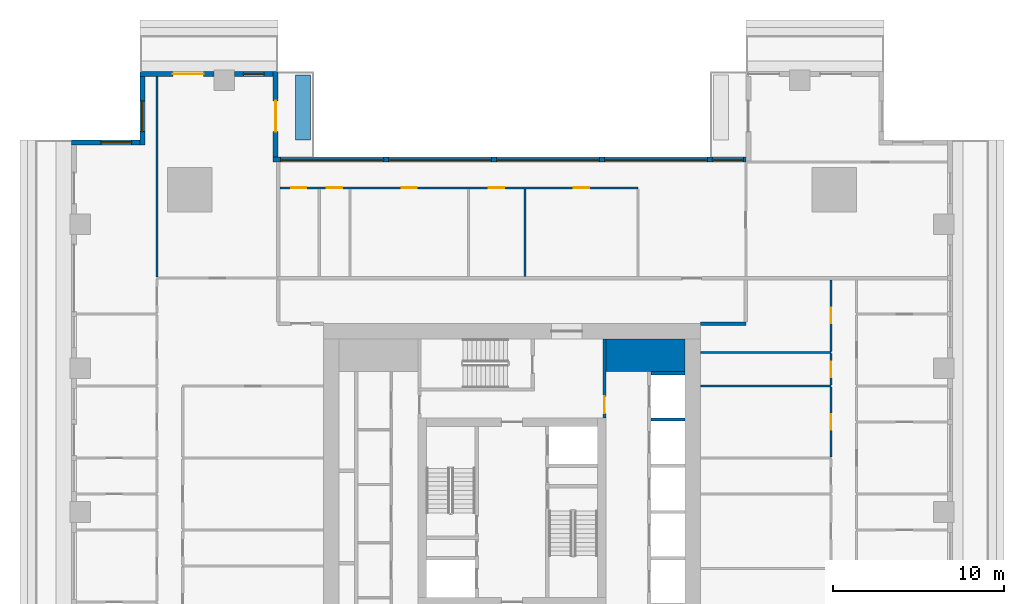
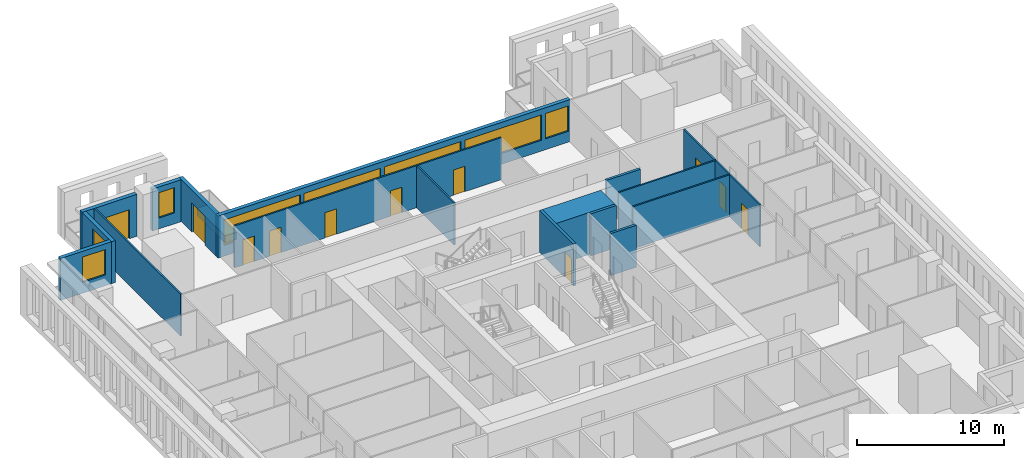
# One storey, part 8 of 16: 20 walls, 11 doors, 8 windows, 19 openings.
"""IFC4 building model written with IfcOpenShell, lengths in metres."""

import ifcopenshell
import ifcopenshell.guid

model = None  # the IFC model being written
_history = None  # IfcOwnerHistory: only IFC2X3 demands one
_inside = {}  # id of a spatial element -> (the spatial element, [elements in it])
_under = {}  # id of a project, library or spatial element -> (it, [spatial elements below it])
_declared = {}  # id of a project -> (the project, [libraries it declares])
_typed = {}  # id of a type object -> (the type object, [elements of that type])
_made_of = {}  # id of a material, layer set ... -> (it, [elements and type objects made of it])


def new_model(schema):
    """Start an empty IFC model of exactly this schema.

    Asked for "IFC4X3", IfcOpenShell would pick the latest addendum, in which some entities
    have other attributes; the version numbers below select the first issue.
    IFC2X3 requires an IfcOwnerHistory on every rooted entity: one is made here for all.
    """
    global model, _history
    if schema == "IFC4X3":
        model = ifcopenshell.file(schema_version=(4, 3, 0, 0))
    else:
        model = ifcopenshell.file(schema=schema)
    _inside.clear()
    _under.clear()
    _declared.clear()
    _typed.clear()
    _made_of.clear()
    _history = None
    if model.schema == "IFC2X3":
        org = make("IfcOrganization", Name="unknown")
        user = make(
            "IfcPersonAndOrganization",
            ThePerson=make("IfcPerson", FamilyName="unknown"),
            TheOrganization=org,
        )
        app = make(
            "IfcApplication",
            ApplicationDeveloper=org,
            Version="unknown",
            ApplicationFullName="unknown",
            ApplicationIdentifier="unknown",
        )
        _history = make(
            "IfcOwnerHistory",
            OwningUser=user,
            OwningApplication=app,
            ChangeAction="ADDED",
            CreationDate=0,
        )
    return model


def make(cls, **values):
    """One entity of the class cls with the attributes given. An attribute that is None is left unset."""
    return model.create_entity(
        cls, **{name: value for name, value in values.items() if value is not None}
    )


def rooted(cls, **values):
    """An entity with a GlobalId (a new one), such as an element, a storey or a relation."""
    return make(cls, GlobalId=ifcopenshell.guid.new(), OwnerHistory=_history, **values)


def si_unit(unit_type, name, prefix=None):
    """IfcSIUnit, for example si_unit("LENGTHUNIT", "METRE", prefix="MILLI")."""
    return make("IfcSIUnit", UnitType=unit_type, Prefix=prefix, Name=name)


def assignment(units):
    """IfcUnitAssignment: the units of a project."""
    return None if units is None else make("IfcUnitAssignment", Units=units)


def point(xyz):
    """IfcCartesianPoint."""
    return None if xyz is None else make("IfcCartesianPoint", Coordinates=xyz)


def direction(xyz):
    """IfcDirection."""
    return None if xyz is None else make("IfcDirection", DirectionRatios=xyz)


def frame(location, z_axis=None, x_axis=None):
    """IfcAxis2Placement3D, a coordinate frame: its origin and axes. An axis left out is left unset."""
    return make(
        "IfcAxis2Placement3D",
        Location=point(location),
        Axis=direction(z_axis),
        RefDirection=direction(x_axis),
    )


def frame_2d(location, x_axis=None):
    """IfcAxis2Placement2D, a coordinate frame in the plane: its origin and x axis."""
    return make(
        "IfcAxis2Placement2D", Location=point(location), RefDirection=direction(x_axis)
    )


def origin():
    """The frame at (0, 0, 0) with its axes left unset."""
    return frame((0.0, 0.0, 0.0))


def place(relative_to, where):
    """IfcLocalPlacement: puts the frame where relative to a parent placement (None: the world)."""
    return make(
        "IfcLocalPlacement", PlacementRelTo=relative_to, RelativePlacement=where
    )


def context(
    kind, dimensions, precision=None, world=None, true_north=None, identifier=None
):
    """IfcGeometricRepresentationContext, for example the 3D "Model" context."""
    return make(
        "IfcGeometricRepresentationContext",
        ContextIdentifier=identifier,
        ContextType=kind,
        CoordinateSpaceDimension=dimensions,
        Precision=precision,
        WorldCoordinateSystem=world,
        TrueNorth=true_north,
    )


def subcontext(parent, identifier, kind, view, scale=None):
    """IfcGeometricRepresentationSubContext, for example "Body" below "Model"."""
    return make(
        "IfcGeometricRepresentationSubContext",
        ContextIdentifier=identifier,
        ContextType=kind,
        ParentContext=parent,
        TargetScale=scale,
        TargetView=view,
    )


def project(units=None, contexts=None):
    """IfcProject with its units and contexts."""
    return rooted(
        "IfcProject",
        Name="project",
        RepresentationContexts=contexts,
        UnitsInContext=assignment(units),
    )


def spatial(cls, under=None, at=None, **own):
    """A site, building, storey or space (cls), placed at a placement, below another one or the project."""
    s = rooted(cls, ObjectPlacement=at, **own)
    if under is not None:
        _under.setdefault(under.id(), (under, []))[1].append(s)
    return s


def profile(cls, at=None, kind="AREA", **sizes):
    """A parametric profile (cls). Its sizes go by their IFC names, for example OverallWidth=200.0."""
    return make(cls, ProfileType=kind, Position=at, **sizes)


def rectangle(**sizes):
    """IfcRectangleProfileDef."""
    return profile("IfcRectangleProfileDef", **sizes)


def extrude(swept, where, along, depth):
    """IfcExtrudedAreaSolid: the profile swept, set in the frame where, extruded along a direction by depth."""
    return make(
        "IfcExtrudedAreaSolid",
        SweptArea=swept,
        Position=where,
        ExtrudedDirection=direction(along),
        Depth=depth,
    )


def shape(context_of_items, identifier, shape_type, items):
    """IfcShapeRepresentation: the items that make up one representation, for example the "Body"."""
    return make(
        "IfcShapeRepresentation",
        ContextOfItems=context_of_items,
        RepresentationIdentifier=identifier,
        RepresentationType=shape_type,
        Items=items,
    )


def material(Name=None, Category=None):
    """IfcMaterial."""
    return make("IfcMaterial", Name=Name, Category=Category)


def layer(
    of_material, thickness, ventilated=None, Name=None, Category=None, Priority=None
):
    """IfcMaterialLayer: one layer of a wall or slab, of a material (None: an air gap)."""
    return make(
        "IfcMaterialLayer",
        Material=of_material,
        LayerThickness=thickness,
        IsVentilated=ventilated,
        Name=Name,
        Category=Category,
        Priority=Priority,
    )


def layer_set(layers, Name=None):
    """IfcMaterialLayerSet."""
    return make("IfcMaterialLayerSet", MaterialLayers=layers, LayerSetName=Name)


def made_of(thing, what):
    """Note that an element or type object is made of a material, layer set ...; save() writes the relation."""
    if what is not None:
        _made_of.setdefault(what.id(), (what, []))[1].append(thing)
    return thing


def type_object(cls, material=None, **own):
    """A type object (cls), such as IfcWallType, which elements share."""
    return made_of(rooted(cls, **own), material)


def element(
    cls,
    number,
    at=None,
    inside=None,
    cuts=None,
    type_object=None,
    material=None,
    context=None,
    identifier="Body",
    shape_type=None,
    held_by="IfcProductDefinitionShape",
    body=None,
    shapes=None,
    **own,
):
    """One element of the class cls, such as IfcWall. Its Tag is "e" and its number.

    at: its placement. inside: the storey or other place that contains it. cuts: it is an
    opening in that element (IfcRelVoidsElement). A single representation is given by context,
    identifier, shape_type and body (its items); several are given by shapes. held_by: the class
    of the entity that holds the representations. save() writes the other relations.
    """
    e = rooted(cls, Tag="e%d" % number, ObjectPlacement=at, **own)
    if body is not None:
        shapes = [shape(context, identifier, shape_type, body)]
    if shapes is not None:
        e.Representation = make(held_by, Representations=shapes)
    if inside is not None:
        _inside.setdefault(inside.id(), (inside, []))[1].append(e)
    if cuts is not None:
        rooted(
            "IfcRelVoidsElement", RelatingBuildingElement=cuts, RelatedOpeningElement=e
        )
    if type_object is not None:
        _typed.setdefault(type_object.id(), (type_object, []))[1].append(e)
    return made_of(e, material)


def fill(opening, filler):
    """IfcRelFillsElement: the door or window that sits in an opening."""
    return rooted(
        "IfcRelFillsElement",
        RelatingOpeningElement=opening,
        RelatedBuildingElement=filler,
    )


def aggregate(whole, parts):
    """IfcRelAggregates: a whole, such as a stair, and the parts it consists of."""
    return rooted("IfcRelAggregates", RelatingObject=whole, RelatedObjects=parts)


def save(model, path):
    """Write the relations noted so far, then the file.

    IfcRelAggregates (storeys below a building ...), IfcRelContainedInSpatialStructure (elements
    in a storey), IfcRelDefinesByType, IfcRelAssociatesMaterial and IfcRelDeclares: one each for
    every whole, place, type object, material and project.
    """
    for whole, parts in _under.values():
        aggregate(whole, parts)
    for where, things in _inside.values():
        rooted(
            "IfcRelContainedInSpatialStructure",
            RelatedElements=things,
            RelatingStructure=where,
        )
    for kind, things in _typed.values():
        rooted("IfcRelDefinesByType", RelatedObjects=things, RelatingType=kind)
    for what, things in _made_of.values():
        rooted("IfcRelAssociatesMaterial", RelatedObjects=things, RelatingMaterial=what)
    for by, libraries in _declared.values():
        rooted("IfcRelDeclares", RelatingContext=by, RelatedDefinitions=libraries)
    model.write(path)


model = new_model("IFC4")

# Units and contexts
model_context = context("Model", 3, precision=1e-05, world=origin(), true_north=direction((0.0, 1.0)))
body_context = subcontext(model_context, "Body", "Model", "MODEL_VIEW")
ifc_project = project(units=[si_unit("LENGTHUNIT", "METRE"), si_unit("AREAUNIT", "SQUARE_METRE"), si_unit("VOLUMEUNIT", "CUBIC_METRE"), si_unit("PLANEANGLEUNIT", "RADIAN"), si_unit("MASSUNIT", "GRAM", prefix="KILO")], contexts=[model_context])

# Site, building, storey
site_placement = place(None, origin())
site = spatial("IfcSite", under=ifc_project, at=site_placement, CompositionType="ELEMENT")
building_placement = place(site_placement, origin())
building = spatial("IfcBuilding", under=site, at=building_placement, Name="Khepri Terraces", CompositionType="ELEMENT")
storey_placement = place(building_placement, frame((0.0, 0.0, 172.800048828125)))
storey = spatial("IfcBuildingStorey", under=building, at=storey_placement, Name="L41", CompositionType="ELEMENT", Elevation=172.800048828125)

# Walls
ifc_material_1 = material(Name="Concrete C60/75", Category="concrete")
ifc_layer_1 = layer(ifc_material_1, 1.89990234375, Name="Concrete C60/75", Category="concrete")
ifc_layer_set_1 = layer_set([ifc_layer_1], Name="Concrete C60/75")
wall_type_1 = type_object("IfcWallType", Name="Core wall 1900 C60/75", PredefinedType="SHEAR", material=ifc_layer_set_1)
wall_1_placement = place(storey_placement, frame((5.5, 9.14990234375, 0.0), z_axis=(0.0, 0.0, 1.0), x_axis=(1.0, 0.0, 0.0)))
element("IfcWall", 1, at=wall_1_placement, inside=storey, type_object=wall_type_1, Name="Core wall PR04 L41", PredefinedType="SHEAR", context=body_context, shape_type="SweptSolid", body=[
    extrude(rectangle(XDim=4.60009765625, YDim=1.89990234375, at=frame_2d((2.300048828125, 0.0))), origin(), (0.0, 0.0, 1.0), 3.47998046875),
])
ifc_layer_2 = layer(ifc_material_1, 0.199951171875, Name="Concrete C60/75", Category="concrete")
ifc_layer_set_2 = layer_set([ifc_layer_2], Name="Concrete C60/75")
wall_type_2 = type_object("IfcWallType", Name="Core wall 200 C60/75", PredefinedType="SHEAR", material=ifc_layer_set_2)
for number, where, z_axis, x_axis, name in (
    (2, (8.10009765625, 5.39990234375, 0.0), (0.0, 0.0, 1.0), (1.0, 0.0, 0.0), "Core wall SH14 L41"),
    (3, (8.10009765625, 8.10009765625, 0.0), (0.0, 0.0, 1.0), (1.0, 0.0, 0.0), "Core wall SH15 L41"),
):
    element("IfcWall", number, at=place(storey_placement, frame(where, z_axis=z_axis, x_axis=x_axis)), inside=storey, type_object=wall_type_2, Name=name, PredefinedType="SHEAR", context=body_context, shape_type="SweptSolid", body=[
        extrude(rectangle(XDim=2.0, YDim=0.199951171875, at=frame_2d((1.0, 0.0))), origin(), (0.0, 0.0, 1.0), 3.47998046875),
    ])

# Wall, opening, door
ifc_material_2 = material(Name="Fire-rated gypsum board partition")
ifc_layer_3 = layer(ifc_material_2, 0.199951171875, Name="Fire-rated gypsum board partition")
ifc_layer_set_3 = layer_set([ifc_layer_3], Name="Fire-rated gypsum board partition")
wall_type_3 = type_object("IfcWallType", Name="WL-CORE-PART-200", PredefinedType="PARTITIONING", material=ifc_layer_set_3)
wall_2_placement = place(storey_placement, frame((5.39990234375, 5.5, 0.0), z_axis=(0.0, 0.0, 1.0), x_axis=(0.0, 1.0, 0.0)))
wall_2 = element("IfcWall", 4, at=wall_2_placement, inside=storey, type_object=wall_type_3, Name="Core partition PT13 L41", PredefinedType="PARTITIONING", context=body_context, shape_type="SweptSolid", body=[
    extrude(rectangle(XDim=4.60009765625, YDim=0.199951171875, at=frame_2d((2.300048828125, 0.0))), origin(), (0.0, 0.0, 1.0), 3.47998046875),
])
opening_1_placement = place(wall_2_placement, frame((0.25, 0.0, 0.0)))
opening_1 = element("IfcOpeningElement", 5, at=opening_1_placement, cuts=wall_2, Name="Opening L41-C17", PredefinedType="OPENING", context=body_context, shape_type="SweptSolid", body=[
    extrude(rectangle(XDim=1.0, YDim=2.10009765625, at=frame_2d((0.5, 1.050048828125))), frame((0.0, 0.10986328125, 0.0), z_axis=(0.0, -1.0, 0.0), x_axis=(1.0, 0.0, 0.0)), (0.0, 0.0, 1.0), 0.219970703125),
])
ifc_material_3 = material(Name="Painted steel", Category="steel")
door_type_1 = type_object("IfcDoorType", Name="DR-CORE-LOBBY-1000", OperationType="NOTDEFINED", PredefinedType="DOOR", material=ifc_material_3)
door_1_placement = place(opening_1_placement, origin())
door_1 = element("IfcDoor", 6, at=door_1_placement, inside=storey, type_object=door_type_1, Name="Lobby door L41-C17", OperationType="SINGLE_SWING_LEFT", OverallHeight=2.10009765625, OverallWidth=1.0, PredefinedType="DOOR", context=body_context, shape_type="SweptSolid", body=[
    extrude(rectangle(XDim=1.0, YDim=2.10009765625, at=frame_2d((0.5, 1.050048828125))), frame((0.0, 0.02490234375, 0.0), z_axis=(0.0, -1.0, 0.0), x_axis=(1.0, 0.0, 0.0)), (0.0, 0.0, 1.0), 0.050048828125),
])
fill(opening_1, door_1)

# Wall
ifc_material_4 = material(Name="Fire-rated gypsum plasterboard partition, mineral wool")
ifc_layer_4 = layer(ifc_material_4, 0.199951171875, Name="Fire-rated gypsum plasterboard partition, mineral wool")
ifc_layer_set_4 = layer_set([ifc_layer_4], Name="Fire-rated gypsum plasterboard partition, mineral wool")
wall_type_4 = type_object("IfcWallType", Name="WL-CORR-200", PredefinedType="PARTITIONING", material=ifc_layer_set_4)
wall_3_placement = place(storey_placement, frame((11.0, 11.0, 0.0), z_axis=(0.0, 0.0, 1.0), x_axis=(1.0, 0.0, 0.0)))
element("IfcWall", 7, at=wall_3_placement, inside=storey, type_object=wall_type_4, Name="Partition P-084 L41", PredefinedType="PARTITIONING", context=body_context, shape_type="SweptSolid", body=[
    extrude(rectangle(XDim=2.64990234375, YDim=0.199951171875, at=frame_2d((1.324951171875, 0.0))), origin(), (0.0, 0.0, 1.0), 3.47998046875),
])

# Wall, openings, windows
ifc_material_5 = material(Name="Precast concrete C50/60 warm stone", Category="masonry")
ifc_layer_5 = layer(ifc_material_5, 0.300048828125, Name="Precast concrete C50/60 warm stone", Category="masonry")
ifc_layer_set_5 = layer_set([ifc_layer_5], Name="Precast concrete C50/60 warm stone")
wall_type_5 = type_object("IfcWallType", Name="WL-EXT-PRECAST-300", PredefinedType="STANDARD", material=ifc_layer_set_5)
wall_4_placement = place(storey_placement, frame((13.64990234375, 20.570068359375, 0.0), z_axis=(0.0, 0.0, 1.0), x_axis=(-1.0, 0.0, 0.0)))
wall_4 = element("IfcWall", 8, at=wall_4_placement, inside=storey, type_object=wall_type_5, Name="External wall L41 N", PredefinedType="STANDARD", context=body_context, shape_type="SweptSolid", body=[
    extrude(rectangle(XDim=27.599853515625, YDim=0.300048828125, at=frame_2d((13.7998046875, 0.0))), origin(), (0.0, 0.0, 1.0), 3.47998046875),
])
opening_2_placement = place(wall_4_placement, frame((0.14990234375, 0.0, 0.89990234375)))
opening_2 = element("IfcOpeningElement", 9, at=opening_2_placement, cuts=wall_4, Name="Opening W1", PredefinedType="OPENING", context=body_context, shape_type="SweptSolid", body=[
    extrude(rectangle(XDim=1.800048828125, YDim=2.10009765625, at=frame_2d((0.89990234375, 1.050048828125))), frame((0.0, 0.16015625, 0.0), z_axis=(0.0, -1.0, 0.0), x_axis=(1.0, 0.0, 0.0)), (0.0, 0.0, 1.0), 0.320068359375),
])
opening_3_placement = place(wall_4_placement, frame((2.25, 0.0, 0.89990234375)))
opening_3 = element("IfcOpeningElement", 10, at=opening_3_placement, cuts=wall_4, Name="Opening W3", PredefinedType="OPENING", context=body_context, shape_type="SweptSolid", body=[
    extrude(rectangle(XDim=6.0, YDim=2.10009765625, at=frame_2d((3.0, 1.050048828125))), frame((0.0, 0.16015625, 0.0), z_axis=(0.0, -1.0, 0.0), x_axis=(1.0, 0.0, 0.0)), (0.0, 0.0, 1.0), 0.320068359375),
])
opening_4_placement = place(wall_4_placement, frame((8.550048828125, 0.0, 0.89990234375)))
opening_4 = element("IfcOpeningElement", 11, at=opening_4_placement, cuts=wall_4, Name="Opening W3", PredefinedType="OPENING", context=body_context, shape_type="SweptSolid", body=[
    extrude(rectangle(XDim=6.0, YDim=2.10009765625, at=frame_2d((3.0, 1.050048828125))), frame((0.0, 0.16015625, 0.0), z_axis=(0.0, -1.0, 0.0), x_axis=(1.0, 0.0, 0.0)), (0.0, 0.0, 1.0), 0.320068359375),
])
opening_5_placement = place(wall_4_placement, frame((14.85009765625, 0.0, 0.89990234375)))
opening_5 = element("IfcOpeningElement", 12, at=opening_5_placement, cuts=wall_4, Name="Opening W3", PredefinedType="OPENING", context=body_context, shape_type="SweptSolid", body=[
    extrude(rectangle(XDim=6.0, YDim=2.10009765625, at=frame_2d((3.0, 1.050048828125))), frame((0.0, 0.16015625, 0.0), z_axis=(0.0, -1.0, 0.0), x_axis=(1.0, 0.0, 0.0)), (0.0, 0.0, 1.0), 0.320068359375),
])
opening_6_placement = place(wall_4_placement, frame((21.14990234375, 0.0, 0.89990234375)))
opening_6 = element("IfcOpeningElement", 13, at=opening_6_placement, cuts=wall_4, Name="Opening W3", PredefinedType="OPENING", context=body_context, shape_type="SweptSolid", body=[
    extrude(rectangle(XDim=6.0, YDim=2.10009765625, at=frame_2d((3.0, 1.050048828125))), frame((0.0, 0.16015625, 0.0), z_axis=(0.0, -1.0, 0.0), x_axis=(1.0, 0.0, 0.0)), (0.0, 0.0, 1.0), 0.320068359375),
])
ifc_material_6 = material(Name="Clear glass", Category="glass")
window_type_1 = type_object("IfcWindowType", Name="WIN-RES-1800x2100", PartitioningType="SINGLE_PANEL", PredefinedType="WINDOW", material=ifc_material_6)
window_1_placement = place(opening_2_placement, origin())
window_1 = element("IfcWindow", 14, at=window_1_placement, inside=storey, type_object=window_type_1, Name="Window L41 N", OverallHeight=2.10009765625, OverallWidth=1.800048828125, PartitioningType="SINGLE_PANEL", PredefinedType="WINDOW", context=body_context, shape_type="SweptSolid", body=[
    extrude(rectangle(XDim=1.800048828125, YDim=2.10009765625, at=frame_2d((0.89990234375, 1.050048828125))), frame((0.0, 0.030029296875, 0.0), z_axis=(0.0, -1.0, 0.0), x_axis=(1.0, 0.0, 0.0)), (0.0, 0.0, 1.0), 0.06005859375),
])
fill(opening_2, window_1)
window_type_2 = type_object("IfcWindowType", Name="WIN-RES-6000x2100", PartitioningType="SINGLE_PANEL", PredefinedType="WINDOW", material=ifc_material_6)
window_2_placement = place(opening_3_placement, origin())
window_2 = element("IfcWindow", 15, at=window_2_placement, inside=storey, type_object=window_type_2, Name="Window L41 N", OverallHeight=2.10009765625, OverallWidth=6.0, PartitioningType="SINGLE_PANEL", PredefinedType="WINDOW", context=body_context, shape_type="SweptSolid", body=[
    extrude(rectangle(XDim=6.0, YDim=2.10009765625, at=frame_2d((3.0, 1.050048828125))), frame((0.0, 0.030029296875, 0.0), z_axis=(0.0, -1.0, 0.0), x_axis=(1.0, 0.0, 0.0)), (0.0, 0.0, 1.0), 0.06005859375),
])
fill(opening_3, window_2)
window_3_placement = place(opening_4_placement, origin())
window_3 = element("IfcWindow", 16, at=window_3_placement, inside=storey, type_object=window_type_2, Name="Window L41 N", OverallHeight=2.10009765625, OverallWidth=6.0, PartitioningType="SINGLE_PANEL", PredefinedType="WINDOW", context=body_context, shape_type="SweptSolid", body=[
    extrude(rectangle(XDim=6.0, YDim=2.10009765625, at=frame_2d((3.0, 1.050048828125))), frame((0.0, 0.030029296875, 0.0), z_axis=(0.0, -1.0, 0.0), x_axis=(1.0, 0.0, 0.0)), (0.0, 0.0, 1.0), 0.06005859375),
])
fill(opening_4, window_3)
window_4_placement = place(opening_5_placement, origin())
window_4 = element("IfcWindow", 17, at=window_4_placement, inside=storey, type_object=window_type_2, Name="Window L41 N", OverallHeight=2.10009765625, OverallWidth=6.0, PartitioningType="SINGLE_PANEL", PredefinedType="WINDOW", context=body_context, shape_type="SweptSolid", body=[
    extrude(rectangle(XDim=6.0, YDim=2.10009765625, at=frame_2d((3.0, 1.050048828125))), frame((0.0, 0.030029296875, 0.0), z_axis=(0.0, -1.0, 0.0), x_axis=(1.0, 0.0, 0.0)), (0.0, 0.0, 1.0), 0.06005859375),
])
fill(opening_5, window_4)
window_5_placement = place(opening_6_placement, origin())
window_5 = element("IfcWindow", 18, at=window_5_placement, inside=storey, type_object=window_type_2, Name="Window L41 N", OverallHeight=2.10009765625, OverallWidth=6.0, PartitioningType="SINGLE_PANEL", PredefinedType="WINDOW", context=body_context, shape_type="SweptSolid", body=[
    extrude(rectangle(XDim=6.0, YDim=2.10009765625, at=frame_2d((3.0, 1.050048828125))), frame((0.0, 0.030029296875, 0.0), z_axis=(0.0, -1.0, 0.0), x_axis=(1.0, 0.0, 0.0)), (0.0, 0.0, 1.0), 0.06005859375),
])
fill(opening_6, window_5)

# Wall, opening, door
wall_5_placement = place(storey_placement, frame((-13.800048828125, 20.719970703125, 0.0), z_axis=(0.0, 0.0, 1.0), x_axis=(0.0, 1.0, 0.0)))
wall_5 = element("IfcWall", 19, at=wall_5_placement, inside=storey, type_object=wall_type_5, Name="External wall L41 E", PredefinedType="STANDARD", context=body_context, shape_type="SweptSolid", body=[
    extrude(rectangle(XDim=5.0, YDim=0.300048828125, at=frame_2d((2.5, 0.0))), origin(), (0.0, 0.0, 1.0), 3.47998046875),
])
opening_7_placement = place(wall_5_placement, frame((1.47998046875, 0.0, 0.0)))
opening_7 = element("IfcOpeningElement", 20, at=opening_7_placement, cuts=wall_5, Name="Opening ED-L41-07", PredefinedType="OPENING", context=body_context, shape_type="SweptSolid", body=[
    extrude(rectangle(XDim=1.800048828125, YDim=2.39990234375, at=frame_2d((0.89990234375, 1.199951171875))), frame((0.0, 0.16015625, 0.0), z_axis=(0.0, -1.0, 0.0), x_axis=(1.0, 0.0, 0.0)), (0.0, 0.0, 1.0), 0.320068359375),
])
ifc_material_7 = material(Name="Anodised aluminium bronze glazed door", Category="aluminium")
door_type_2 = type_object("IfcDoorType", Name="DR-BAL-SLIDE-1800x2400", OperationType="NOTDEFINED", PredefinedType="DOOR", material=ifc_material_7)
door_2_placement = place(opening_7_placement, origin())
door_2 = element("IfcDoor", 21, at=door_2_placement, inside=storey, type_object=door_type_2, Name="Balcony door L41 E", OperationType="SLIDING_TO_RIGHT", OverallHeight=2.39990234375, OverallWidth=1.800048828125, PredefinedType="DOOR", context=body_context, shape_type="SweptSolid", body=[
    extrude(rectangle(XDim=1.800048828125, YDim=2.39990234375, at=frame_2d((0.89990234375, 1.199951171875))), frame((0.0, 0.02490234375, 0.0), z_axis=(0.0, -1.0, 0.0), x_axis=(1.0, 0.0, 0.0)), (0.0, 0.0, 1.0), 0.050048828125),
])
fill(opening_7, door_2)

# Wall, opening, window
wall_6_placement = place(storey_placement, frame((-13.949951171875, 25.570068359375, 0.0), z_axis=(0.0, 0.0, 1.0), x_axis=(-1.0, 0.0, 0.0)))
wall_6 = element("IfcWall", 22, at=wall_6_placement, inside=storey, type_object=wall_type_5, Name="External wall L41 N", PredefinedType="STANDARD", context=body_context, shape_type="SweptSolid", body=[
    extrude(rectangle(XDim=2.25, YDim=0.300048828125, at=frame_2d((1.125, 0.0))), origin(), (0.0, 0.0, 1.0), 3.47998046875),
])
opening_8_placement = place(wall_6_placement, frame((0.52490234375, 0.0, 0.89990234375)))
opening_8 = element("IfcOpeningElement", 23, at=opening_8_placement, cuts=wall_6, Name="Opening W4", PredefinedType="OPENING", context=body_context, shape_type="SweptSolid", body=[
    extrude(rectangle(XDim=1.199951171875, YDim=2.10009765625, at=frame_2d((0.60009765625, 1.050048828125))), frame((0.0, 0.16015625, 0.0), z_axis=(0.0, -1.0, 0.0), x_axis=(1.0, 0.0, 0.0)), (0.0, 0.0, 1.0), 0.320068359375),
])
window_type_3 = type_object("IfcWindowType", Name="WIN-RES-1200x2100", PartitioningType="SINGLE_PANEL", PredefinedType="WINDOW", material=ifc_material_6)
window_6_placement = place(opening_8_placement, origin())
window_6 = element("IfcWindow", 24, at=window_6_placement, inside=storey, type_object=window_type_3, Name="Window L41 N", OverallHeight=2.10009765625, OverallWidth=1.199951171875, PartitioningType="SINGLE_PANEL", PredefinedType="WINDOW", context=body_context, shape_type="SweptSolid", body=[
    extrude(rectangle(XDim=1.199951171875, YDim=2.10009765625, at=frame_2d((0.60009765625, 1.050048828125))), frame((0.0, 0.030029296875, 0.0), z_axis=(0.0, -1.0, 0.0), x_axis=(1.0, 0.0, 0.0)), (0.0, 0.0, 1.0), 0.06005859375),
])
fill(opening_8, window_6)

# Wall, opening, door
wall_7_placement = place(storey_placement, frame((-17.39990234375, 25.570068359375, 0.0), z_axis=(0.0, 0.0, 1.0), x_axis=(-1.0, 0.0, 0.0)))
wall_7 = element("IfcWall", 25, at=wall_7_placement, inside=storey, type_object=wall_type_5, Name="External wall L41 N", PredefinedType="STANDARD", context=body_context, shape_type="SweptSolid", body=[
    extrude(rectangle(XDim=4.320068359375, YDim=0.300048828125, at=frame_2d((2.16015625, 0.0))), origin(), (0.0, 0.0, 1.0), 3.47998046875),
])
opening_9_placement = place(wall_7_placement, frame((0.60009765625, 0.0, 0.0)))
opening_9 = element("IfcOpeningElement", 26, at=opening_9_placement, cuts=wall_7, Name="Opening ED-L41-08", PredefinedType="OPENING", context=body_context, shape_type="SweptSolid", body=[
    extrude(rectangle(XDim=1.800048828125, YDim=2.39990234375, at=frame_2d((0.89990234375, 1.199951171875))), frame((0.0, 0.16015625, 0.0), z_axis=(0.0, -1.0, 0.0), x_axis=(1.0, 0.0, 0.0)), (0.0, 0.0, 1.0), 0.320068359375),
])
door_3_placement = place(opening_9_placement, origin())
door_3 = element("IfcDoor", 27, at=door_3_placement, inside=storey, type_object=door_type_2, Name="Balcony door L41 N", OperationType="SLIDING_TO_LEFT", OverallHeight=2.39990234375, OverallWidth=1.800048828125, PredefinedType="DOOR", context=body_context, shape_type="SweptSolid", body=[
    extrude(rectangle(XDim=1.800048828125, YDim=2.39990234375, at=frame_2d((0.89990234375, 1.199951171875))), frame((0.0, 0.02490234375, 0.0), z_axis=(0.0, -1.0, 0.0), x_axis=(1.0, 0.0, 0.0)), (0.0, 0.0, 1.0), 0.050048828125),
])
fill(opening_9, door_3)

# Wall, opening, window
wall_8_placement = place(storey_placement, frame((-21.570068359375, 25.419921875, 0.0), z_axis=(0.0, 0.0, 1.0), x_axis=(0.0, -1.0, 0.0)))
wall_8 = element("IfcWall", 28, at=wall_8_placement, inside=storey, type_object=wall_type_5, Name="External wall L41 W", PredefinedType="STANDARD", context=body_context, shape_type="SweptSolid", body=[
    extrude(rectangle(XDim=4.0, YDim=0.300048828125, at=frame_2d((2.0, 0.0))), origin(), (0.0, 0.0, 1.0), 3.47998046875),
])
opening_10_placement = place(wall_8_placement, frame((1.419921875, 0.0, 0.89990234375)))
opening_10 = element("IfcOpeningElement", 29, at=opening_10_placement, cuts=wall_8, Name="Opening W1", PredefinedType="OPENING", context=body_context, shape_type="SweptSolid", body=[
    extrude(rectangle(XDim=1.800048828125, YDim=2.10009765625, at=frame_2d((0.89990234375, 1.050048828125))), frame((0.0, 0.16015625, 0.0), z_axis=(0.0, -1.0, 0.0), x_axis=(1.0, 0.0, 0.0)), (0.0, 0.0, 1.0), 0.320068359375),
])
window_7_placement = place(opening_10_placement, origin())
window_7 = element("IfcWindow", 30, at=window_7_placement, inside=storey, type_object=window_type_1, Name="Window L41 W", OverallHeight=2.10009765625, OverallWidth=1.800048828125, PartitioningType="SINGLE_PANEL", PredefinedType="WINDOW", context=body_context, shape_type="SweptSolid", body=[
    extrude(rectangle(XDim=1.800048828125, YDim=2.10009765625, at=frame_2d((0.89990234375, 1.050048828125))), frame((0.0, 0.030029296875, 0.0), z_axis=(0.0, -1.0, 0.0), x_axis=(1.0, 0.0, 0.0)), (0.0, 0.0, 1.0), 0.06005859375),
])
fill(opening_10, window_7)

wall_9_placement = place(storey_placement, frame((-21.719970703125, 21.570068359375, 0.0), z_axis=(0.0, 0.0, 1.0), x_axis=(-1.0, 0.0, 0.0)))
wall_9 = element("IfcWall", 31, at=wall_9_placement, inside=storey, type_object=wall_type_5, Name="External wall L41 N", PredefinedType="STANDARD", context=body_context, shape_type="SweptSolid", body=[
    extrude(rectangle(XDim=4.0, YDim=0.300048828125, at=frame_2d((2.0, 0.0))), origin(), (0.0, 0.0, 1.0), 3.47998046875),
])
opening_11_placement = place(wall_9_placement, frame((0.47998046875, 0.0, 0.89990234375)))
opening_11 = element("IfcOpeningElement", 32, at=opening_11_placement, cuts=wall_9, Name="Opening W1", PredefinedType="OPENING", context=body_context, shape_type="SweptSolid", body=[
    extrude(rectangle(XDim=1.800048828125, YDim=2.10009765625, at=frame_2d((0.89990234375, 1.050048828125))), frame((0.0, 0.16015625, 0.0), z_axis=(0.0, -1.0, 0.0), x_axis=(1.0, 0.0, 0.0)), (0.0, 0.0, 1.0), 0.320068359375),
])
window_8_placement = place(opening_11_placement, origin())
window_8 = element("IfcWindow", 33, at=window_8_placement, inside=storey, type_object=window_type_1, Name="Window L41 N", OverallHeight=2.10009765625, OverallWidth=1.800048828125, PartitioningType="SINGLE_PANEL", PredefinedType="WINDOW", context=body_context, shape_type="SweptSolid", body=[
    extrude(rectangle(XDim=1.800048828125, YDim=2.10009765625, at=frame_2d((0.89990234375, 1.050048828125))), frame((0.0, 0.030029296875, 0.0), z_axis=(0.0, -1.0, 0.0), x_axis=(1.0, 0.0, 0.0)), (0.0, 0.0, 1.0), 0.06005859375),
])
fill(opening_11, window_8)

# Wall, opening, door
ifc_material_8 = material(Name="Gypsum plasterboard partition")
ifc_layer_6 = layer(ifc_material_8, 0.1201171875, Name="Gypsum plasterboard partition")
ifc_layer_set_6 = layer_set([ifc_layer_6], Name="Gypsum plasterboard partition")
wall_type_6 = type_object("IfcWallType", Name="WL-PART-120", PredefinedType="PARTITIONING", material=ifc_layer_set_6)
wall_10_placement = place(storey_placement, frame((18.6201171875, 3.2099609375, 0.0), z_axis=(0.0, 0.0, 1.0), x_axis=(0.0, 1.0, 0.0)))
wall_10 = element("IfcWall", 34, at=wall_10_placement, inside=storey, type_object=wall_type_6, Name="Partition P-071 L41", PredefinedType="PARTITIONING", context=body_context, shape_type="SweptSolid", body=[
    extrude(rectangle(XDim=4.080078125, YDim=0.1201171875, at=frame_2d((2.0400390625, 0.0))), origin(), (0.0, 0.0, 1.0), 3.47998046875),
])
opening_12_placement = place(wall_10_placement, frame((1.590087890625, 0.0, 0.0)))
opening_12 = element("IfcOpeningElement", 35, at=opening_12_placement, cuts=wall_10, Name="Opening D3", PredefinedType="OPENING", context=body_context, shape_type="SweptSolid", body=[
    extrude(rectangle(XDim=0.89990234375, YDim=2.10009765625, at=frame_2d((0.449951171875, 1.050048828125))), frame((0.0, 0.070068359375, 0.0), z_axis=(0.0, -1.0, 0.0), x_axis=(1.0, 0.0, 0.0)), (0.0, 0.0, 1.0), 0.14013671875),
])
ifc_material_9 = material(Name="Timber door leaf", Category="wood")
door_type_3 = type_object("IfcDoorType", Name="DR-INT-900", OperationType="NOTDEFINED", PredefinedType="DOOR", material=ifc_material_9)
door_4_placement = place(opening_12_placement, origin())
door_4 = element("IfcDoor", 36, at=door_4_placement, inside=storey, type_object=door_type_3, Name="Door Utility Room", OperationType="SINGLE_SWING_RIGHT", OverallHeight=2.10009765625, OverallWidth=0.89990234375, PredefinedType="DOOR", context=body_context, shape_type="SweptSolid", body=[
    extrude(rectangle(XDim=0.89990234375, YDim=2.10009765625, at=frame_2d((0.449951171875, 1.050048828125))), frame((0.0, 0.02490234375, 0.0), z_axis=(0.0, -1.0, 0.0), x_axis=(1.0, 0.0, 0.0)), (0.0, 0.0, 1.0), 0.050048828125),
])
fill(opening_12, door_4)

# Wall
wall_11_placement = place(storey_placement, frame((11.0, 7.35009765625, 0.0), z_axis=(0.0, 0.0, 1.0), x_axis=(1.0, 0.0, 0.0)))
element("IfcWall", 37, at=wall_11_placement, inside=storey, type_object=wall_type_6, Name="Partition P-076 L41", PredefinedType="PARTITIONING", context=body_context, shape_type="SweptSolid", body=[
    extrude(rectangle(XDim=7.6201171875, YDim=0.1201171875, at=frame_2d((3.81005859375, 0.0))), origin(), (0.0, 0.0, 1.0), 3.47998046875),
])

# Wall, opening, door
wall_12_placement = place(storey_placement, frame((18.6201171875, 7.409912109375, 0.0), z_axis=(0.0, 0.0, 1.0), x_axis=(0.0, 1.0, 0.0)))
wall_12 = element("IfcWall", 38, at=wall_12_placement, inside=storey, type_object=wall_type_6, Name="Partition P-079 L41", PredefinedType="PARTITIONING", context=body_context, shape_type="SweptSolid", body=[
    extrude(rectangle(XDim=1.830078125, YDim=0.1201171875, at=frame_2d((0.9150390625, 0.0))), origin(), (0.0, 0.0, 1.0), 3.47998046875),
])
opening_13_placement = place(wall_12_placement, frame((0.465087890625, 0.0, 0.0)))
opening_13 = element("IfcOpeningElement", 39, at=opening_13_placement, cuts=wall_12, Name="Opening D4", PredefinedType="OPENING", context=body_context, shape_type="SweptSolid", body=[
    extrude(rectangle(XDim=0.89990234375, YDim=2.10009765625, at=frame_2d((0.449951171875, 1.050048828125))), frame((0.0, 0.070068359375, 0.0), z_axis=(0.0, -1.0, 0.0), x_axis=(1.0, 0.0, 0.0)), (0.0, 0.0, 1.0), 0.14013671875),
])
ifc_material_10 = material(Name="Timber door leaf, moisture resistant", Category="wood")
door_type_4 = type_object("IfcDoorType", Name="DR-WET-900", OperationType="NOTDEFINED", PredefinedType="DOOR", material=ifc_material_10)
door_5_placement = place(opening_13_placement, origin())
door_5 = element("IfcDoor", 40, at=door_5_placement, inside=storey, type_object=door_type_4, Name="Door Guest Bathroom", OperationType="SINGLE_SWING_LEFT", OverallHeight=2.10009765625, OverallWidth=0.89990234375, PredefinedType="DOOR", context=body_context, shape_type="SweptSolid", body=[
    extrude(rectangle(XDim=0.89990234375, YDim=2.10009765625, at=frame_2d((0.449951171875, 1.050048828125))), frame((0.0, 0.02490234375, 0.0), z_axis=(0.0, -1.0, 0.0), x_axis=(1.0, 0.0, 0.0)), (0.0, 0.0, 1.0), 0.050048828125),
])
fill(opening_13, door_5)

# Wall
wall_13_placement = place(storey_placement, frame((11.0, 9.300048828125, 0.0), z_axis=(0.0, 0.0, 1.0), x_axis=(1.0, 0.0, 0.0)))
element("IfcWall", 41, at=wall_13_placement, inside=storey, type_object=wall_type_6, Name="Partition P-081 L41", PredefinedType="PARTITIONING", context=body_context, shape_type="SweptSolid", body=[
    extrude(rectangle(XDim=7.6201171875, YDim=0.1201171875, at=frame_2d((3.81005859375, 0.0))), origin(), (0.0, 0.0, 1.0), 3.47998046875),
])

# Wall, opening, door
wall_14_placement = place(storey_placement, frame((18.6201171875, 9.360107421875, 0.0), z_axis=(0.0, 0.0, 1.0), x_axis=(0.0, 1.0, 0.0)))
wall_14 = element("IfcWall", 42, at=wall_14_placement, inside=storey, type_object=wall_type_6, Name="Partition P-082 L41", PredefinedType="PARTITIONING", context=body_context, shape_type="SweptSolid", body=[
    extrude(rectangle(XDim=4.18994140625, YDim=0.1201171875, at=frame_2d((2.094970703125, 0.0))), origin(), (0.0, 0.0, 1.0), 3.47998046875),
])
opening_14_placement = place(wall_14_placement, frame((1.6650390625, 0.0, 0.0)))
opening_14 = element("IfcOpeningElement", 43, at=opening_14_placement, cuts=wall_14, Name="Opening D3", PredefinedType="OPENING", context=body_context, shape_type="SweptSolid", body=[
    extrude(rectangle(XDim=0.89990234375, YDim=2.10009765625, at=frame_2d((0.449951171875, 1.050048828125))), frame((0.0, 0.070068359375, 0.0), z_axis=(0.0, -1.0, 0.0), x_axis=(1.0, 0.0, 0.0)), (0.0, 0.0, 1.0), 0.14013671875),
])
door_6_placement = place(opening_14_placement, origin())
door_6 = element("IfcDoor", 44, at=door_6_placement, inside=storey, type_object=door_type_3, Name="Door Library", OperationType="SINGLE_SWING_RIGHT", OverallHeight=2.10009765625, OverallWidth=0.89990234375, PredefinedType="DOOR", context=body_context, shape_type="SweptSolid", body=[
    extrude(rectangle(XDim=0.89990234375, YDim=2.10009765625, at=frame_2d((0.449951171875, 1.050048828125))), frame((0.0, 0.02490234375, 0.0), z_axis=(0.0, -1.0, 0.0), x_axis=(1.0, 0.0, 0.0)), (0.0, 0.0, 1.0), 0.050048828125),
])
fill(opening_14, door_6)

# Walls
wall_15_placement = place(storey_placement, frame((-20.719970703125, 13.7099609375, 0.0), z_axis=(0.0, 0.0, 1.0), x_axis=(0.0, 1.0, 0.0)))
element("IfcWall", 45, at=wall_15_placement, inside=storey, type_object=wall_type_6, Name="Partition P-093 L41", PredefinedType="PARTITIONING", context=body_context, shape_type="SweptSolid", body=[
    extrude(rectangle(XDim=11.7099609375, YDim=0.1201171875, at=frame_2d((5.85498046875, 0.0))), origin(), (0.0, 0.0, 1.0), 3.47998046875),
])
wall_16_placement = place(storey_placement, frame((0.75, 13.75, 0.0), z_axis=(0.0, 0.0, 1.0), x_axis=(0.0, 1.0, 0.0)))
element("IfcWall", 46, at=wall_16_placement, inside=storey, type_object=wall_type_6, Name="Partition P-098 L41", PredefinedType="PARTITIONING", context=body_context, shape_type="SweptSolid", body=[
    extrude(rectangle(XDim=5.110107421875, YDim=0.1201171875, at=frame_2d((2.55517578125, 0.0))), origin(), (0.0, 0.0, 1.0), 3.47998046875),
])

# Wall, openings, doors
wall_17_placement = place(storey_placement, frame((-13.550048828125, 18.919921875, 0.0), z_axis=(0.0, 0.0, 1.0), x_axis=(1.0, 0.0, 0.0)))
wall_17 = element("IfcWall", 47, at=wall_17_placement, inside=storey, type_object=wall_type_6, Name="Partition P-101 L41", PredefinedType="PARTITIONING", context=body_context, shape_type="SweptSolid", body=[
    extrude(rectangle(XDim=20.900146484375, YDim=0.1201171875, at=frame_2d((10.4501953125, 0.0))), origin(), (0.0, 0.0, 1.0), 3.47998046875),
])
opening_15_placement = place(wall_17_placement, frame((17.14990234375, 0.0, 0.0)))
opening_15 = element("IfcOpeningElement", 48, at=opening_15_placement, cuts=wall_17, Name="Opening D3", PredefinedType="OPENING", context=body_context, shape_type="SweptSolid", body=[
    extrude(rectangle(XDim=0.89990234375, YDim=2.10009765625, at=frame_2d((0.449951171875, 1.050048828125))), frame((0.0, 0.070068359375, 0.0), z_axis=(0.0, -1.0, 0.0), x_axis=(1.0, 0.0, 0.0)), (0.0, 0.0, 1.0), 0.14013671875),
])
opening_16_placement = place(wall_17_placement, frame((12.199951171875, 0.0, 0.0)))
opening_16 = element("IfcOpeningElement", 49, at=opening_16_placement, cuts=wall_17, Name="Opening D3", PredefinedType="OPENING", context=body_context, shape_type="SweptSolid", body=[
    extrude(rectangle(XDim=0.89990234375, YDim=2.10009765625, at=frame_2d((0.449951171875, 1.050048828125))), frame((0.0, 0.070068359375, 0.0), z_axis=(0.0, -1.0, 0.0), x_axis=(1.0, 0.0, 0.0)), (0.0, 0.0, 1.0), 0.14013671875),
])
opening_17_placement = place(wall_17_placement, frame((7.10009765625, 0.0, 0.0)))
opening_17 = element("IfcOpeningElement", 50, at=opening_17_placement, cuts=wall_17, Name="Opening D3", PredefinedType="OPENING", context=body_context, shape_type="SweptSolid", body=[
    extrude(rectangle(XDim=0.89990234375, YDim=2.10009765625, at=frame_2d((0.449951171875, 1.050048828125))), frame((0.0, 0.070068359375, 0.0), z_axis=(0.0, -1.0, 0.0), x_axis=(1.0, 0.0, 0.0)), (0.0, 0.0, 1.0), 0.14013671875),
])
opening_18_placement = place(wall_17_placement, frame((2.75, 0.0, 0.0)))
opening_18 = element("IfcOpeningElement", 51, at=opening_18_placement, cuts=wall_17, Name="Opening D4", PredefinedType="OPENING", context=body_context, shape_type="SweptSolid", body=[
    extrude(rectangle(XDim=0.89990234375, YDim=2.10009765625, at=frame_2d((0.449951171875, 1.050048828125))), frame((0.0, 0.070068359375, 0.0), z_axis=(0.0, -1.0, 0.0), x_axis=(1.0, 0.0, 0.0)), (0.0, 0.0, 1.0), 0.14013671875),
])
opening_19_placement = place(wall_17_placement, frame((0.64990234375, 0.0, 0.0)))
opening_19 = element("IfcOpeningElement", 52, at=opening_19_placement, cuts=wall_17, Name="Opening D4", PredefinedType="OPENING", context=body_context, shape_type="SweptSolid", body=[
    extrude(rectangle(XDim=0.89990234375, YDim=2.10009765625, at=frame_2d((0.449951171875, 1.050048828125))), frame((0.0, 0.070068359375, 0.0), z_axis=(0.0, -1.0, 0.0), x_axis=(1.0, 0.0, 0.0)), (0.0, 0.0, 1.0), 0.14013671875),
])
door_7_placement = place(opening_15_placement, frame((0.89990234375, 0.0, 0.0), z_axis=(0.0, 0.0, 1.0), x_axis=(-1.0, 0.0, 0.0)))
door_7 = element("IfcDoor", 53, at=door_7_placement, inside=storey, type_object=door_type_3, Name="Door Kitchen", OperationType="SINGLE_SWING_LEFT", OverallHeight=2.10009765625, OverallWidth=0.89990234375, PredefinedType="DOOR", context=body_context, shape_type="SweptSolid", body=[
    extrude(rectangle(XDim=0.89990234375, YDim=2.10009765625, at=frame_2d((0.449951171875, 1.050048828125))), frame((0.0, 0.02490234375, 0.0), z_axis=(0.0, -1.0, 0.0), x_axis=(1.0, 0.0, 0.0)), (0.0, 0.0, 1.0), 0.050048828125),
])
fill(opening_15, door_7)
door_8_placement = place(opening_16_placement, frame((0.89990234375, 0.0, 0.0), z_axis=(0.0, 0.0, 1.0), x_axis=(-1.0, 0.0, 0.0)))
door_8 = element("IfcDoor", 54, at=door_8_placement, inside=storey, type_object=door_type_3, Name="Door Utility Room", OperationType="SINGLE_SWING_LEFT", OverallHeight=2.10009765625, OverallWidth=0.89990234375, PredefinedType="DOOR", context=body_context, shape_type="SweptSolid", body=[
    extrude(rectangle(XDim=0.89990234375, YDim=2.10009765625, at=frame_2d((0.449951171875, 1.050048828125))), frame((0.0, 0.02490234375, 0.0), z_axis=(0.0, -1.0, 0.0), x_axis=(1.0, 0.0, 0.0)), (0.0, 0.0, 1.0), 0.050048828125),
])
fill(opening_16, door_8)
door_9_placement = place(opening_17_placement, frame((0.89990234375, 0.0, 0.0), z_axis=(0.0, 0.0, 1.0), x_axis=(-1.0, 0.0, 0.0)))
door_9 = element("IfcDoor", 55, at=door_9_placement, inside=storey, type_object=door_type_3, Name="Door Staff Bedroom", OperationType="SINGLE_SWING_RIGHT", OverallHeight=2.10009765625, OverallWidth=0.89990234375, PredefinedType="DOOR", context=body_context, shape_type="SweptSolid", body=[
    extrude(rectangle(XDim=0.89990234375, YDim=2.10009765625, at=frame_2d((0.449951171875, 1.050048828125))), frame((0.0, 0.02490234375, 0.0), z_axis=(0.0, -1.0, 0.0), x_axis=(1.0, 0.0, 0.0)), (0.0, 0.0, 1.0), 0.050048828125),
])
fill(opening_17, door_9)
door_10_placement = place(opening_18_placement, frame((0.89990234375, 0.0, 0.0), z_axis=(0.0, 0.0, 1.0), x_axis=(-1.0, 0.0, 0.0)))
door_10 = element("IfcDoor", 56, at=door_10_placement, inside=storey, type_object=door_type_4, Name="Door Powder Room", OperationType="SINGLE_SWING_RIGHT", OverallHeight=2.10009765625, OverallWidth=0.89990234375, PredefinedType="DOOR", context=body_context, shape_type="SweptSolid", body=[
    extrude(rectangle(XDim=0.89990234375, YDim=2.10009765625, at=frame_2d((0.449951171875, 1.050048828125))), frame((0.0, 0.02490234375, 0.0), z_axis=(0.0, -1.0, 0.0), x_axis=(1.0, 0.0, 0.0)), (0.0, 0.0, 1.0), 0.050048828125),
])
fill(opening_18, door_10)
door_11_placement = place(opening_19_placement, frame((0.89990234375, 0.0, 0.0), z_axis=(0.0, 0.0, 1.0), x_axis=(-1.0, 0.0, 0.0)))
door_11 = element("IfcDoor", 57, at=door_11_placement, inside=storey, type_object=door_type_4, Name="Door Guest Bathroom", OperationType="SINGLE_SWING_RIGHT", OverallHeight=2.10009765625, OverallWidth=0.89990234375, PredefinedType="DOOR", context=body_context, shape_type="SweptSolid", body=[
    extrude(rectangle(XDim=0.89990234375, YDim=2.10009765625, at=frame_2d((0.449951171875, 1.050048828125))), frame((0.0, 0.02490234375, 0.0), z_axis=(0.0, -1.0, 0.0), x_axis=(1.0, 0.0, 0.0)), (0.0, 0.0, 1.0), 0.050048828125),
])
fill(opening_19, door_11)

# Wall
ifc_layer_7 = layer(ifc_material_5, 0.89990234375, Name="Precast concrete C50/60 warm stone", Category="masonry")
ifc_layer_set_7 = layer_set([ifc_layer_7], Name="Precast concrete C50/60 warm stone")
wall_type_7 = type_object("IfcWallType", Name="WL-PLANTER-900", PredefinedType="MOVABLE", material=ifc_layer_set_7)
wall_18_placement = place(storey_placement, frame((-12.199951171875, 21.719970703125, 0.0), z_axis=(0.0, 0.0, 1.0), x_axis=(0.0, 1.0, 0.0)))
element("IfcWall", 58, at=wall_18_placement, inside=storey, type_object=wall_type_7, Name="Planter L41", PredefinedType="MOVABLE", context=body_context, shape_type="SweptSolid", body=[
    extrude(rectangle(XDim=3.800048828125, YDim=0.89990234375, at=frame_2d((1.89990234375, 0.0))), origin(), (0.0, 0.0, 1.0), 0.599853515625),
])

save(model, "model.ifc")
